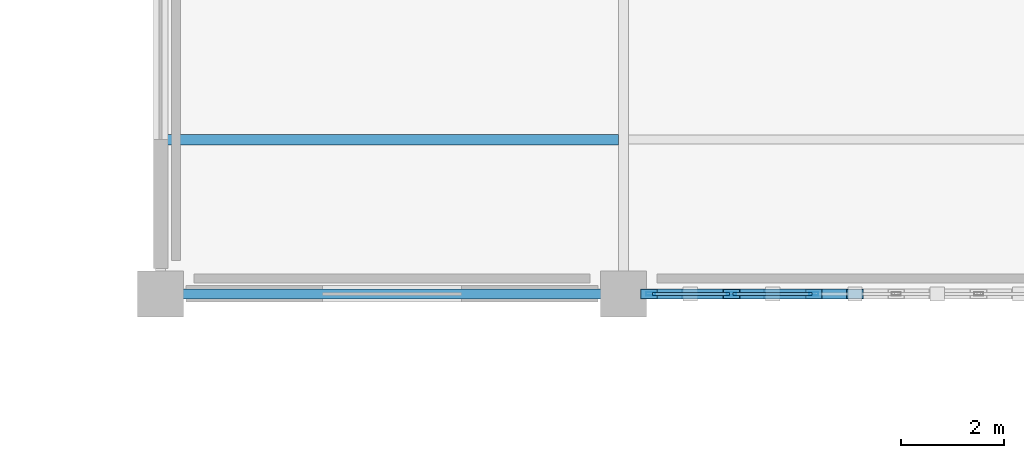
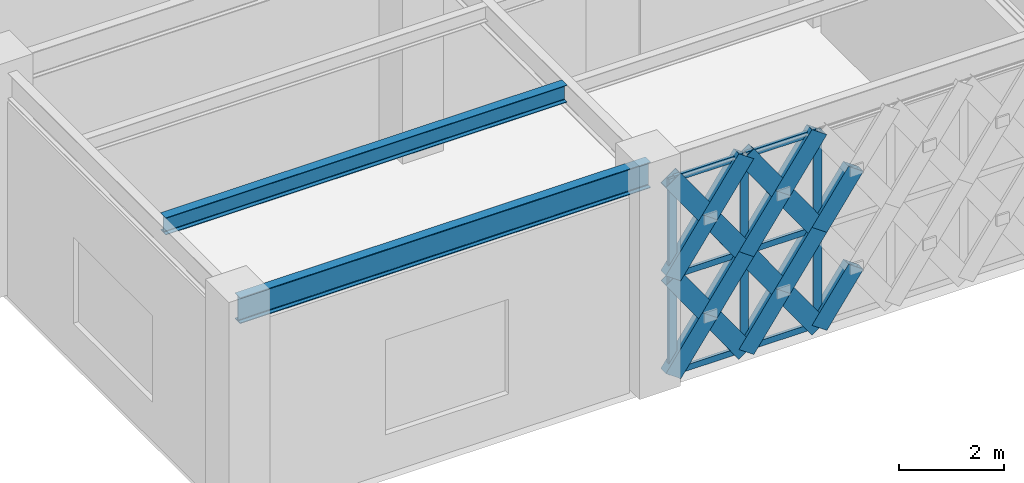
# One storey, part 9 of 166: 23 members, 2 beams, 1 element without a shape of its own.
"""IFC4 building model written with IfcOpenShell, lengths in metres."""

import ifcopenshell
import ifcopenshell.guid

model = None  # the IFC model being written
_history = None  # IfcOwnerHistory: only IFC2X3 demands one
_inside = {}  # id of a spatial element -> (the spatial element, [elements in it])
_under = {}  # id of a project, library or spatial element -> (it, [spatial elements below it])
_declared = {}  # id of a project -> (the project, [libraries it declares])
_typed = {}  # id of a type object -> (the type object, [elements of that type])
_made_of = {}  # id of a material, layer set ... -> (it, [elements and type objects made of it])


def new_model(schema):
    """Start an empty IFC model of exactly this schema.

    Asked for "IFC4X3", IfcOpenShell would pick the latest addendum, in which some entities
    have other attributes; the version numbers below select the first issue.
    IFC2X3 requires an IfcOwnerHistory on every rooted entity: one is made here for all.
    """
    global model, _history
    if schema == "IFC4X3":
        model = ifcopenshell.file(schema_version=(4, 3, 0, 0))
    else:
        model = ifcopenshell.file(schema=schema)
    _inside.clear()
    _under.clear()
    _declared.clear()
    _typed.clear()
    _made_of.clear()
    _history = None
    if model.schema == "IFC2X3":
        org = make("IfcOrganization", Name="unknown")
        user = make(
            "IfcPersonAndOrganization",
            ThePerson=make("IfcPerson", FamilyName="unknown"),
            TheOrganization=org,
        )
        app = make(
            "IfcApplication",
            ApplicationDeveloper=org,
            Version="unknown",
            ApplicationFullName="unknown",
            ApplicationIdentifier="unknown",
        )
        _history = make(
            "IfcOwnerHistory",
            OwningUser=user,
            OwningApplication=app,
            ChangeAction="ADDED",
            CreationDate=0,
        )
    return model


def make(cls, **values):
    """One entity of the class cls with the attributes given. An attribute that is None is left unset."""
    return model.create_entity(
        cls, **{name: value for name, value in values.items() if value is not None}
    )


def rooted(cls, **values):
    """An entity with a GlobalId (a new one), such as an element, a storey or a relation."""
    return make(cls, GlobalId=ifcopenshell.guid.new(), OwnerHistory=_history, **values)


def si_unit(unit_type, name, prefix=None):
    """IfcSIUnit, for example si_unit("LENGTHUNIT", "METRE", prefix="MILLI")."""
    return make("IfcSIUnit", UnitType=unit_type, Prefix=prefix, Name=name)


def assignment(units):
    """IfcUnitAssignment: the units of a project."""
    return None if units is None else make("IfcUnitAssignment", Units=units)


def point(xyz):
    """IfcCartesianPoint."""
    return None if xyz is None else make("IfcCartesianPoint", Coordinates=xyz)


def direction(xyz):
    """IfcDirection."""
    return None if xyz is None else make("IfcDirection", DirectionRatios=xyz)


def frame(location, z_axis=None, x_axis=None):
    """IfcAxis2Placement3D, a coordinate frame: its origin and axes. An axis left out is left unset."""
    return make(
        "IfcAxis2Placement3D",
        Location=point(location),
        Axis=direction(z_axis),
        RefDirection=direction(x_axis),
    )


def frame_2d(location, x_axis=None):
    """IfcAxis2Placement2D, a coordinate frame in the plane: its origin and x axis."""
    return make(
        "IfcAxis2Placement2D", Location=point(location), RefDirection=direction(x_axis)
    )


def origin():
    """The frame at (0, 0, 0) with its axes left unset."""
    return frame((0.0, 0.0, 0.0))


def origin_2d():
    """The frame at (0, 0) in the plane with its x axis left unset."""
    return frame_2d((0.0, 0.0))


def place(relative_to, where):
    """IfcLocalPlacement: puts the frame where relative to a parent placement (None: the world)."""
    return make(
        "IfcLocalPlacement", PlacementRelTo=relative_to, RelativePlacement=where
    )


def context(
    kind, dimensions, precision=None, world=None, true_north=None, identifier=None
):
    """IfcGeometricRepresentationContext, for example the 3D "Model" context."""
    return make(
        "IfcGeometricRepresentationContext",
        ContextIdentifier=identifier,
        ContextType=kind,
        CoordinateSpaceDimension=dimensions,
        Precision=precision,
        WorldCoordinateSystem=world,
        TrueNorth=true_north,
    )


def subcontext(parent, identifier, kind, view, scale=None):
    """IfcGeometricRepresentationSubContext, for example "Body" below "Model"."""
    return make(
        "IfcGeometricRepresentationSubContext",
        ContextIdentifier=identifier,
        ContextType=kind,
        ParentContext=parent,
        TargetScale=scale,
        TargetView=view,
    )


def project(units=None, contexts=None):
    """IfcProject with its units and contexts."""
    return rooted(
        "IfcProject",
        Name="project",
        RepresentationContexts=contexts,
        UnitsInContext=assignment(units),
    )


def spatial(cls, under=None, at=None, **own):
    """A site, building, storey or space (cls), placed at a placement, below another one or the project."""
    s = rooted(cls, ObjectPlacement=at, **own)
    if under is not None:
        _under.setdefault(under.id(), (under, []))[1].append(s)
    return s


def profile(cls, at=None, kind="AREA", **sizes):
    """A parametric profile (cls). Its sizes go by their IFC names, for example OverallWidth=200.0."""
    return make(cls, ProfileType=kind, Position=at, **sizes)


def hollow_rectangle(**sizes):
    """IfcRectangleHollowProfileDef."""
    return profile("IfcRectangleHollowProfileDef", **sizes)


def i_section(**sizes):
    """IfcIShapeProfileDef."""
    return profile("IfcIShapeProfileDef", **sizes)


def extrude(swept, where, along, depth):
    """IfcExtrudedAreaSolid: the profile swept, set in the frame where, extruded along a direction by depth."""
    return make(
        "IfcExtrudedAreaSolid",
        SweptArea=swept,
        Position=where,
        ExtrudedDirection=direction(along),
        Depth=depth,
    )


def shape(context_of_items, identifier, shape_type, items):
    """IfcShapeRepresentation: the items that make up one representation, for example the "Body"."""
    return make(
        "IfcShapeRepresentation",
        ContextOfItems=context_of_items,
        RepresentationIdentifier=identifier,
        RepresentationType=shape_type,
        Items=items,
    )


def material(Name=None, Category=None):
    """IfcMaterial."""
    return make("IfcMaterial", Name=Name, Category=Category)


def material_profile(
    of_material, cross_section, Name=None, Category=None, Priority=None
):
    """IfcMaterialProfile: a cross section and its material."""
    return make(
        "IfcMaterialProfile",
        Name=Name,
        Material=of_material,
        Profile=cross_section,
        Priority=Priority,
        Category=Category,
    )


def profile_set(profiles, Name=None, composite=None):
    """IfcMaterialProfileSet."""
    return make(
        "IfcMaterialProfileSet",
        Name=Name,
        MaterialProfiles=profiles,
        CompositeProfile=composite,
    )


def made_of(thing, what):
    """Note that an element or type object is made of a material, layer set ...; save() writes the relation."""
    if what is not None:
        _made_of.setdefault(what.id(), (what, []))[1].append(thing)
    return thing


def type_object(cls, material=None, **own):
    """A type object (cls), such as IfcWallType, which elements share."""
    return made_of(rooted(cls, **own), material)


def element(
    cls,
    number,
    at=None,
    inside=None,
    cuts=None,
    type_object=None,
    material=None,
    context=None,
    identifier="Body",
    shape_type=None,
    held_by="IfcProductDefinitionShape",
    body=None,
    shapes=None,
    **own,
):
    """One element of the class cls, such as IfcWall. Its Tag is "e" and its number.

    at: its placement. inside: the storey or other place that contains it. cuts: it is an
    opening in that element (IfcRelVoidsElement). A single representation is given by context,
    identifier, shape_type and body (its items); several are given by shapes. held_by: the class
    of the entity that holds the representations. save() writes the other relations.
    """
    e = rooted(cls, Tag="e%d" % number, ObjectPlacement=at, **own)
    if body is not None:
        shapes = [shape(context, identifier, shape_type, body)]
    if shapes is not None:
        e.Representation = make(held_by, Representations=shapes)
    if inside is not None:
        _inside.setdefault(inside.id(), (inside, []))[1].append(e)
    if cuts is not None:
        rooted(
            "IfcRelVoidsElement", RelatingBuildingElement=cuts, RelatedOpeningElement=e
        )
    if type_object is not None:
        _typed.setdefault(type_object.id(), (type_object, []))[1].append(e)
    return made_of(e, material)


def aggregate(whole, parts):
    """IfcRelAggregates: a whole, such as a stair, and the parts it consists of."""
    return rooted("IfcRelAggregates", RelatingObject=whole, RelatedObjects=parts)


def save(model, path):
    """Write the relations noted so far, then the file.

    IfcRelAggregates (storeys below a building ...), IfcRelContainedInSpatialStructure (elements
    in a storey), IfcRelDefinesByType, IfcRelAssociatesMaterial and IfcRelDeclares: one each for
    every whole, place, type object, material and project.
    """
    for whole, parts in _under.values():
        aggregate(whole, parts)
    for where, things in _inside.values():
        rooted(
            "IfcRelContainedInSpatialStructure",
            RelatedElements=things,
            RelatingStructure=where,
        )
    for kind, things in _typed.values():
        rooted("IfcRelDefinesByType", RelatedObjects=things, RelatingType=kind)
    for what, things in _made_of.values():
        rooted("IfcRelAssociatesMaterial", RelatedObjects=things, RelatingMaterial=what)
    for by, libraries in _declared.values():
        rooted("IfcRelDeclares", RelatingContext=by, RelatedDefinitions=libraries)
    model.write(path)


model = new_model("IFC4")

# Units and contexts
model_context = context("Model", 3, precision=1e-05, world=origin(), true_north=direction((0.0, 1.0)))
body_context = subcontext(model_context, "Body", "Model", "MODEL_VIEW")
ifc_project = project(units=[si_unit("LENGTHUNIT", "METRE"), si_unit("AREAUNIT", "SQUARE_METRE"), si_unit("VOLUMEUNIT", "CUBIC_METRE"), si_unit("PLANEANGLEUNIT", "RADIAN"), si_unit("MASSUNIT", "GRAM", prefix="KILO")], contexts=[model_context])

# Site, building, storey
site_placement = place(None, origin())
site = spatial("IfcSite", under=ifc_project, at=site_placement, CompositionType="ELEMENT")
building_placement = place(site_placement, origin())
building = spatial("IfcBuilding", under=site, at=building_placement, Name="Haizhuo Lancet Aquarium", CompositionType="ELEMENT")
storey_placement = place(building_placement, frame((0.0, 0.0, 5.39990234375)))
storey = spatial("IfcBuildingStorey", under=building, at=storey_placement, Name="L01", CompositionType="ELEMENT", Elevation=5.39990234375)

# Beam
ifc_material_1 = material(Name="Steel S355", Category="steel")
ifc_material_profile_1 = material_profile(ifc_material_1, i_section(OverallWidth=0.199951171875, OverallDepth=0.60009765625, WebThickness=0.010986328125, FlangeThickness=0.01708984375, FilletRadius=0.02197265625, at=origin_2d()), Name="HN 600x200x11x17")
ifc_profile_set_1 = profile_set([ifc_material_profile_1], Name="Steel S355")
beam_type_1 = type_object("IfcBeamType", Name="BM-ST-HN600", PredefinedType="BEAM", material=ifc_profile_set_1)
beam_1_placement = place(storey_placement, frame((-54.0, -36.0, 4.840087890625), z_axis=(1.0, 0.0, 0.0), x_axis=(0.0, 1.0, 0.0)))
element("IfcBeam", 1, at=beam_1_placement, inside=storey, type_object=beam_type_1, Name="L01 V6 primary girder BM-L01-V6-015", PredefinedType="BEAM", context=body_context, shape_type="SweptSolid", body=[
    extrude(i_section(OverallWidth=0.199951171875, OverallDepth=0.60009765625, WebThickness=0.010986328125, FlangeThickness=0.01708984375, FilletRadius=0.02197265625, at=origin_2d()), origin(), (0.0, 0.0, 1.0), 9.0),
])

# Curtain wall, members
ifc_material_2 = material(Name="Aluminium 6063-T6", Category="aluminium")
curtain_wall_type = type_object("IfcCurtainWallType", Name="CWD-8010x4540", PredefinedType="NOTDEFINED", material=ifc_material_2)
curtain_wall_placement = place(storey_placement, origin())
curtain_wall = element("IfcCurtainWall", 2, at=curtain_wall_placement, inside=storey, type_object=curtain_wall_type, Name="L01 curtain wall CW-V6-L01-208", PredefinedType="NOTDEFINED")
ifc_material_profile_2 = material_profile(ifc_material_2, hollow_rectangle(XDim=0.06494140625, YDim=0.179931640625, WallThickness=0.00390625, at=origin_2d()), Name="ALU-M 65x180x4")
ifc_profile_set_2 = profile_set([ifc_material_profile_2], Name="Aluminium 6063-T6")
member_type_1 = type_object("IfcMemberType", Name="CW-MUL-1", PredefinedType="MULLION", material=ifc_profile_set_2)
member_1_placement = place(storey_placement, frame((-41.301025390625, -36.0, 0.0), z_axis=(0.0, 0.0, 1.0), x_axis=(0.0, -1.0, 0.0)))
member_1 = element("IfcMember", 3, at=member_1_placement, type_object=member_type_1, Name="CWD-80x45 mullion 4", PredefinedType="MULLION", context=body_context, shape_type="SweptSolid", body=[
    extrude(hollow_rectangle(XDim=0.06494140625, YDim=0.179931640625, WallThickness=0.00390625, at=origin_2d()), origin(), (0.0, 0.0, 1.0), 4.5400390625),
])
member_2_placement = place(storey_placement, frame((-42.903076171875, -36.0, 0.0), z_axis=(0.0, 0.0, 1.0), x_axis=(0.0, -1.0, 0.0)))
member_2 = element("IfcMember", 4, at=member_2_placement, type_object=member_type_1, Name="CWD-80x45 mullion 5", PredefinedType="MULLION", context=body_context, shape_type="SweptSolid", body=[
    extrude(hollow_rectangle(XDim=0.06494140625, YDim=0.179931640625, WallThickness=0.00390625, at=origin_2d()), origin(), (0.0, 0.0, 1.0), 4.5400390625),
])
member_3_placement = place(storey_placement, frame((-44.472900390625, -36.0, 0.0), z_axis=(0.0, 0.0, 1.0), x_axis=(0.0, -1.0, 0.0)))
member_3 = element("IfcMember", 5, at=member_3_placement, type_object=member_type_1, Name="CWD-80x45 mullion 6", PredefinedType="MULLION", context=body_context, shape_type="SweptSolid", body=[
    extrude(hollow_rectangle(XDim=0.06494140625, YDim=0.179931640625, WallThickness=0.00390625, at=origin_2d()), origin(), (0.0, 0.0, 1.0), 4.5400390625),
])
ifc_material_profile_3 = material_profile(ifc_material_2, hollow_rectangle(XDim=0.06494140625, YDim=0.139892578125, WallThickness=0.00390625, at=origin_2d()), Name="ALU-T 65x140x4")
ifc_profile_set_3 = profile_set([ifc_material_profile_3], Name="Aluminium 6063-T6")
member_type_2 = type_object("IfcMemberType", Name="CW-TRN-1", PredefinedType="NOTDEFINED", material=ifc_profile_set_3)
member_4_placement = place(storey_placement, frame((-41.333984375, -36.0, 0.033203125), z_axis=(-1.0, 0.0, 0.0), x_axis=(0.0, -1.0, 0.0)))
member_4 = element("IfcMember", 6, at=member_4_placement, type_object=member_type_2, Name="CWD-80x45 transom 4.1", ObjectType="TRANSOM", PredefinedType="USERDEFINED", context=body_context, shape_type="SweptSolid", body=[
    extrude(hollow_rectangle(XDim=0.06494140625, YDim=0.139892578125, WallThickness=0.00390625, at=origin_2d()), origin(), (0.0, 0.0, 1.0), 1.5361328125),
])
member_5_placement = place(storey_placement, frame((-41.333984375, -36.0, 2.27001953125), z_axis=(-1.0, 0.0, 0.0), x_axis=(0.0, -1.0, 0.0)))
member_5 = element("IfcMember", 7, at=member_5_placement, type_object=member_type_2, Name="CWD-80x45 transom 4.2", ObjectType="TRANSOM", PredefinedType="USERDEFINED", context=body_context, shape_type="SweptSolid", body=[
    extrude(hollow_rectangle(XDim=0.06494140625, YDim=0.139892578125, WallThickness=0.00390625, at=origin_2d()), origin(), (0.0, 0.0, 1.0), 1.5361328125),
])
member_6_placement = place(storey_placement, frame((-41.333984375, -36.0, 4.507080078125), z_axis=(-1.0, 0.0, 0.0), x_axis=(0.0, -1.0, 0.0)))
member_6 = element("IfcMember", 8, at=member_6_placement, type_object=member_type_2, Name="CWD-80x45 transom 4.3", ObjectType="TRANSOM", PredefinedType="USERDEFINED", context=body_context, shape_type="SweptSolid", body=[
    extrude(hollow_rectangle(XDim=0.06494140625, YDim=0.139892578125, WallThickness=0.00390625, at=origin_2d()), origin(), (0.0, 0.0, 1.0), 1.5361328125),
])
member_7_placement = place(storey_placement, frame((-42.93603515625, -36.0, 0.033203125), z_axis=(-1.0, 0.0, 0.0), x_axis=(0.0, -1.0, 0.0)))
member_7 = element("IfcMember", 9, at=member_7_placement, type_object=member_type_2, Name="CWD-80x45 transom 5.1", ObjectType="TRANSOM", PredefinedType="USERDEFINED", context=body_context, shape_type="SweptSolid", body=[
    extrude(hollow_rectangle(XDim=0.06494140625, YDim=0.139892578125, WallThickness=0.00390625, at=origin_2d()), origin(), (0.0, 0.0, 1.0), 1.50390625),
])
member_8_placement = place(storey_placement, frame((-42.93603515625, -36.0, 2.27001953125), z_axis=(-1.0, 0.0, 0.0), x_axis=(0.0, -1.0, 0.0)))
member_8 = element("IfcMember", 10, at=member_8_placement, type_object=member_type_2, Name="CWD-80x45 transom 5.2", ObjectType="TRANSOM", PredefinedType="USERDEFINED", context=body_context, shape_type="SweptSolid", body=[
    extrude(hollow_rectangle(XDim=0.06494140625, YDim=0.139892578125, WallThickness=0.00390625, at=origin_2d()), origin(), (0.0, 0.0, 1.0), 1.50390625),
])
member_9_placement = place(storey_placement, frame((-42.93603515625, -36.0, 4.507080078125), z_axis=(-1.0, 0.0, 0.0), x_axis=(0.0, -1.0, 0.0)))
member_9 = element("IfcMember", 11, at=member_9_placement, type_object=member_type_2, Name="CWD-80x45 transom 5.3", ObjectType="TRANSOM", PredefinedType="USERDEFINED", context=body_context, shape_type="SweptSolid", body=[
    extrude(hollow_rectangle(XDim=0.06494140625, YDim=0.139892578125, WallThickness=0.00390625, at=origin_2d()), origin(), (0.0, 0.0, 1.0), 1.50390625),
])
aggregate(curtain_wall, [member_1, member_2, member_3, member_4, member_5, member_6, member_7, member_8, member_9])

# Beam
ifc_material_profile_4 = material_profile(ifc_material_1, i_section(OverallWidth=0.199951171875, OverallDepth=0.39990234375, WebThickness=0.008056640625, FlangeThickness=0.012939453125, FilletRadius=0.01611328125, at=origin_2d()), Name="HN 400x200x8x13")
ifc_profile_set_4 = profile_set([ifc_material_profile_4], Name="Steel S355")
beam_type_2 = type_object("IfcBeamType", Name="JST-ST-HN400", PredefinedType="JOIST", material=ifc_profile_set_4)
beam_2_placement = place(storey_placement, frame((-53.89990234375, -33.0, 4.940185546875), z_axis=(1.0, 0.0, 0.0), x_axis=(0.0, 1.0, 0.0)))
element("IfcBeam", 12, at=beam_2_placement, inside=storey, type_object=beam_type_2, Name="L01 V6 secondary floor joist 10", PredefinedType="JOIST", context=body_context, shape_type="SweptSolid", body=[
    extrude(i_section(OverallWidth=0.199951171875, OverallDepth=0.39990234375, WebThickness=0.008056640625, FlangeThickness=0.012939453125, FilletRadius=0.01611328125, at=origin_2d()), origin(), (0.0, 0.0, 1.0), 8.7998046875),
])

# Members
ifc_material_profile_5 = material_profile(ifc_material_1, hollow_rectangle(XDim=0.199951171875, YDim=0.39990234375, WallThickness=0.011962890625, at=origin_2d()), Name="RHS 200x400x12")
ifc_profile_set_5 = profile_set([ifc_material_profile_5], Name="Steel S355")
member_type_3 = type_object("IfcMemberType", Name="MEM-LB-RHS200x400", PredefinedType="BRACE", material=ifc_profile_set_5)
for number, where, z_axis, x_axis, name in (
    (13, (-41.301025390625, -36.0, 0.0), (0.576607297585, 0.0, 0.817021434463), (0.0, 1.0, 0.0), "Gothic lancet split diagonal brace CW-V6-L01-208 5B1"),
    (14, (-41.301025390625, -36.0, 2.27001953125), (0.576607297585, 0.0, 0.817021434463), (0.0, 1.0, 0.0), "Gothic lancet split diagonal brace CW-V6-L01-208 6B1"),
):
    element("IfcMember", number, at=place(storey_placement, frame(where, z_axis=z_axis, x_axis=x_axis)), inside=storey, type_object=member_type_3, Name=name, PredefinedType="BRACE", context=body_context, shape_type="SweptSolid", body=[
        extrude(hollow_rectangle(XDim=0.199951171875, YDim=0.39990234375, WallThickness=0.011962890625, at=origin_2d()), origin(), (0.0, 0.0, 1.0), 1.38916015625),
    ])
member_10_placement = place(storey_placement, frame((-41.301025390625, -36.0, 0.0), z_axis=(-0.576607297585, 0.0, 0.817021434463), x_axis=(0.0, -1.0, 0.0)))
element("IfcMember", 15, at=member_10_placement, inside=storey, type_object=member_type_3, Name="Gothic lancet continuous diagonal brace CW-V6-L01-208 7A", PredefinedType="BRACE", context=body_context, shape_type="SweptSolid", body=[
    extrude(hollow_rectangle(XDim=0.199951171875, YDim=0.39990234375, WallThickness=0.011962890625, at=origin_2d()), origin(), (0.0, 0.0, 1.0), 2.7783203125),
])
for number, where, z_axis, x_axis, name in (
    (16, (-42.903076171875, -36.0, 0.0), (0.576607297585, 0.0, 0.817021434463), (0.0, 1.0, 0.0), "Gothic lancet split diagonal brace CW-V6-L01-208 7B1"),
    (17, (-42.10205078125, -36.0, 1.135009765625), (0.576607297585, 0.0, 0.817021434463), (0.0, 1.0, 0.0), "Gothic lancet split diagonal brace CW-V6-L01-208 7B2"),
):
    element("IfcMember", number, at=place(storey_placement, frame(where, z_axis=z_axis, x_axis=x_axis)), inside=storey, type_object=member_type_3, Name=name, PredefinedType="BRACE", context=body_context, shape_type="SweptSolid", body=[
        extrude(hollow_rectangle(XDim=0.199951171875, YDim=0.39990234375, WallThickness=0.011962890625, at=origin_2d()), origin(), (0.0, 0.0, 1.0), 1.38916015625),
    ])
member_11_placement = place(storey_placement, frame((-41.301025390625, -36.0, 2.27001953125), z_axis=(-0.576607297585, 0.0, 0.817021434463), x_axis=(0.0, -1.0, 0.0)))
element("IfcMember", 18, at=member_11_placement, inside=storey, type_object=member_type_3, Name="Gothic lancet continuous diagonal brace CW-V6-L01-208 8A", PredefinedType="BRACE", context=body_context, shape_type="SweptSolid", body=[
    extrude(hollow_rectangle(XDim=0.199951171875, YDim=0.39990234375, WallThickness=0.011962890625, at=origin_2d()), origin(), (0.0, 0.0, 1.0), 2.7783203125),
])
for number, where, z_axis, x_axis, name in (
    (19, (-42.903076171875, -36.0, 2.27001953125), (0.576607297585, 0.0, 0.817021434463), (0.0, 1.0, 0.0), "Gothic lancet split diagonal brace CW-V6-L01-208 8B1"),
    (20, (-42.10205078125, -36.0, 3.405029296875), (0.576607297585, 0.0, 0.817021434463), (0.0, 1.0, 0.0), "Gothic lancet split diagonal brace CW-V6-L01-208 8B2"),
):
    element("IfcMember", number, at=place(storey_placement, frame(where, z_axis=z_axis, x_axis=x_axis)), inside=storey, type_object=member_type_3, Name=name, PredefinedType="BRACE", context=body_context, shape_type="SweptSolid", body=[
        extrude(hollow_rectangle(XDim=0.199951171875, YDim=0.39990234375, WallThickness=0.011962890625, at=origin_2d()), origin(), (0.0, 0.0, 1.0), 1.38916015625),
    ])
member_12_placement = place(storey_placement, frame((-42.903076171875, -36.0, 0.0), z_axis=(-0.576548637348, 0.0, 0.81706283037), x_axis=(0.0, -1.0, 0.0)))
element("IfcMember", 21, at=member_12_placement, inside=storey, type_object=member_type_3, Name="Gothic lancet continuous diagonal brace CW-V6-L01-208 9A", PredefinedType="BRACE", context=body_context, shape_type="SweptSolid", body=[
    extrude(hollow_rectangle(XDim=0.199951171875, YDim=0.39990234375, WallThickness=0.011962890625, at=origin_2d()), origin(), (0.0, 0.0, 1.0), 2.7783203125),
])
for number, where, z_axis, x_axis, name in (
    (22, (-44.5048828125, -36.0, 0.0), (0.576489968194, 0.0, 0.81710422626), (0.0, 1.0, 0.0), "Gothic lancet split diagonal brace CW-V6-L01-208 9B1"),
    (23, (-43.7041015625, -36.0, 1.135009765625), (0.576607297585, 0.0, 0.817021434463), (0.0, 1.0, 0.0), "Gothic lancet split diagonal brace CW-V6-L01-208 9B2"),
):
    element("IfcMember", number, at=place(storey_placement, frame(where, z_axis=z_axis, x_axis=x_axis)), inside=storey, type_object=member_type_3, Name=name, PredefinedType="BRACE", context=body_context, shape_type="SweptSolid", body=[
        extrude(hollow_rectangle(XDim=0.199951171875, YDim=0.39990234375, WallThickness=0.011962890625, at=origin_2d()), origin(), (0.0, 0.0, 1.0), 1.38916015625),
    ])
member_13_placement = place(storey_placement, frame((-42.903076171875, -36.0, 2.27001953125), z_axis=(-0.576548637348, 0.0, 0.81706283037), x_axis=(0.0, -1.0, 0.0)))
element("IfcMember", 24, at=member_13_placement, inside=storey, type_object=member_type_3, Name="Gothic lancet continuous diagonal brace CW-V6-L01-208 10A", PredefinedType="BRACE", context=body_context, shape_type="SweptSolid", body=[
    extrude(hollow_rectangle(XDim=0.199951171875, YDim=0.39990234375, WallThickness=0.011962890625, at=origin_2d()), origin(), (0.0, 0.0, 1.0), 2.7783203125),
])
for number, where, z_axis, x_axis, name in (
    (25, (-44.5048828125, -36.0, 2.27001953125), (0.576489968194, 0.0, 0.81710422626), (0.0, 1.0, 0.0), "Gothic lancet split diagonal brace CW-V6-L01-208 10B1"),
    (26, (-43.7041015625, -36.0, 3.405029296875), (0.576607297585, 0.0, 0.817021434463), (0.0, 1.0, 0.0), "Gothic lancet split diagonal brace CW-V6-L01-208 10B2"),
):
    element("IfcMember", number, at=place(storey_placement, frame(where, z_axis=z_axis, x_axis=x_axis)), inside=storey, type_object=member_type_3, Name=name, PredefinedType="BRACE", context=body_context, shape_type="SweptSolid", body=[
        extrude(hollow_rectangle(XDim=0.199951171875, YDim=0.39990234375, WallThickness=0.011962890625, at=origin_2d()), origin(), (0.0, 0.0, 1.0), 1.38916015625),
    ])

save(model, "model.ifc")
